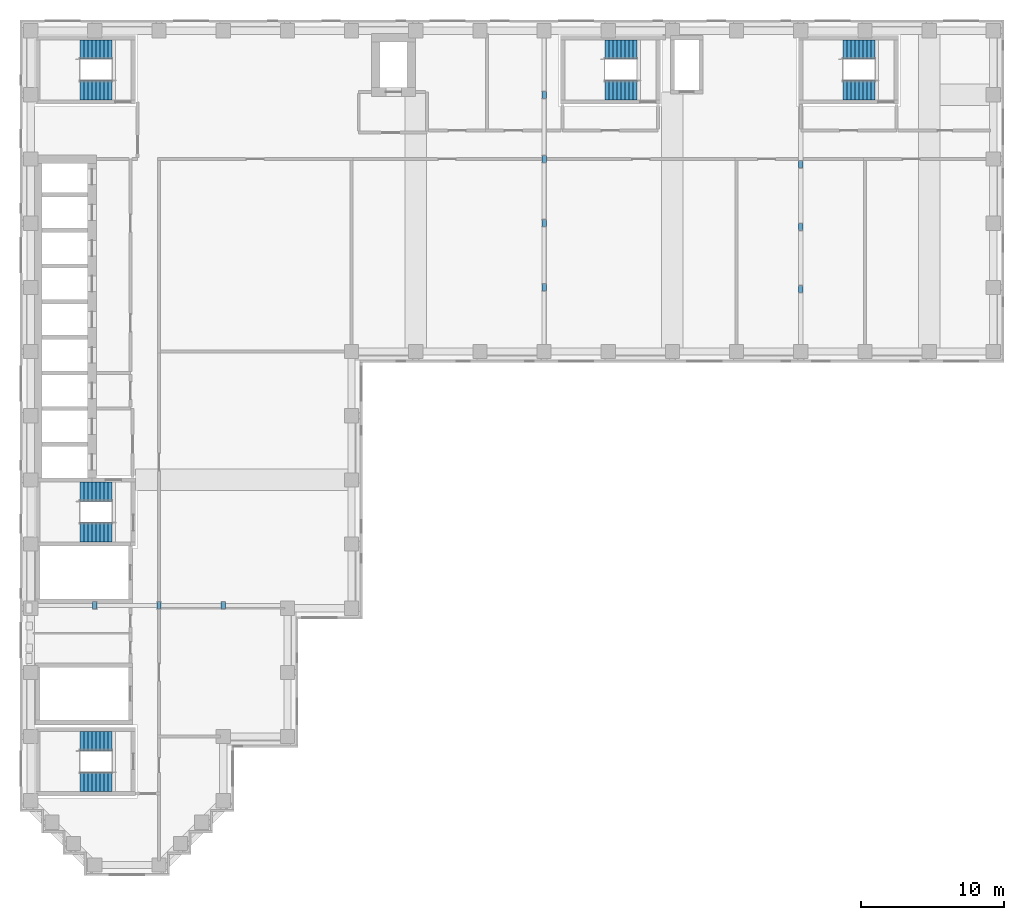
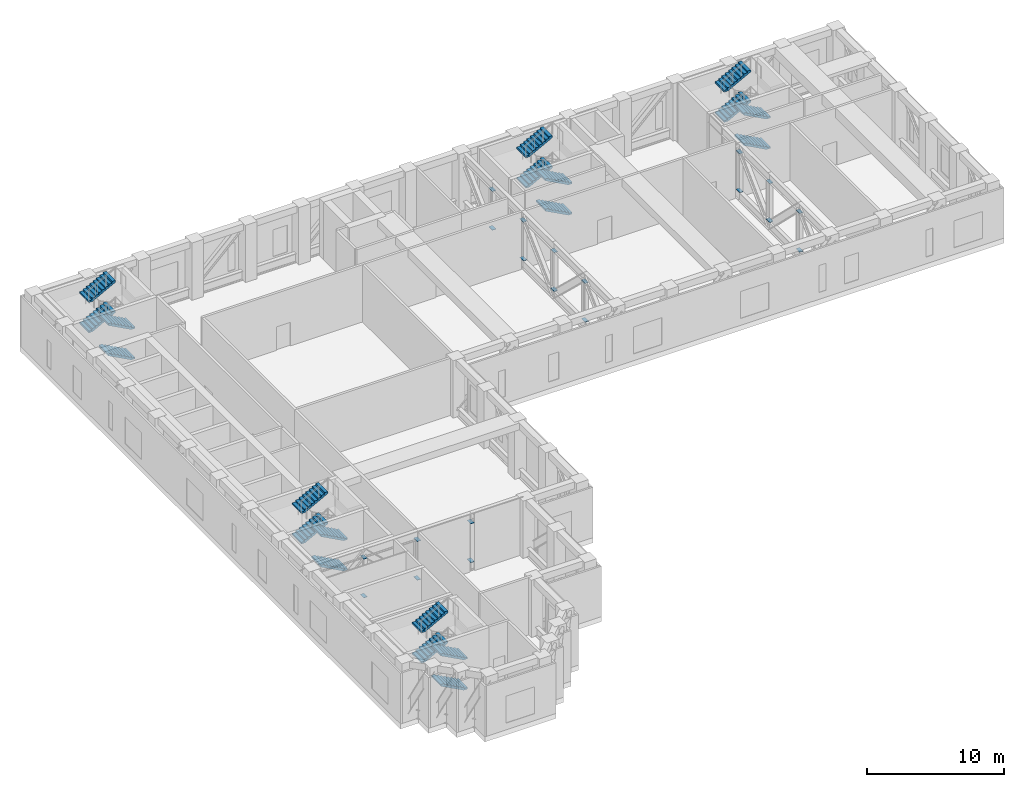
# One storey, part 11 of 14: 20 discrete accessories, 20 stair flights, 5 elements without a shape of their own.
"""IFC4 building model written with IfcOpenShell, lengths in metres."""

import ifcopenshell
import ifcopenshell.guid

model = None  # the IFC model being written
_history = None  # IfcOwnerHistory: only IFC2X3 demands one
_inside = {}  # id of a spatial element -> (the spatial element, [elements in it])
_under = {}  # id of a project, library or spatial element -> (it, [spatial elements below it])
_declared = {}  # id of a project -> (the project, [libraries it declares])
_typed = {}  # id of a type object -> (the type object, [elements of that type])
_made_of = {}  # id of a material, layer set ... -> (it, [elements and type objects made of it])


def new_model(schema):
    """Start an empty IFC model of exactly this schema.

    Asked for "IFC4X3", IfcOpenShell would pick the latest addendum, in which some entities
    have other attributes; the version numbers below select the first issue.
    IFC2X3 requires an IfcOwnerHistory on every rooted entity: one is made here for all.
    """
    global model, _history
    if schema == "IFC4X3":
        model = ifcopenshell.file(schema_version=(4, 3, 0, 0))
    else:
        model = ifcopenshell.file(schema=schema)
    _inside.clear()
    _under.clear()
    _declared.clear()
    _typed.clear()
    _made_of.clear()
    _history = None
    if model.schema == "IFC2X3":
        org = make("IfcOrganization", Name="unknown")
        user = make(
            "IfcPersonAndOrganization",
            ThePerson=make("IfcPerson", FamilyName="unknown"),
            TheOrganization=org,
        )
        app = make(
            "IfcApplication",
            ApplicationDeveloper=org,
            Version="unknown",
            ApplicationFullName="unknown",
            ApplicationIdentifier="unknown",
        )
        _history = make(
            "IfcOwnerHistory",
            OwningUser=user,
            OwningApplication=app,
            ChangeAction="ADDED",
            CreationDate=0,
        )
    return model


def make(cls, **values):
    """One entity of the class cls with the attributes given. An attribute that is None is left unset."""
    return model.create_entity(
        cls, **{name: value for name, value in values.items() if value is not None}
    )


def rooted(cls, **values):
    """An entity with a GlobalId (a new one), such as an element, a storey or a relation."""
    return make(cls, GlobalId=ifcopenshell.guid.new(), OwnerHistory=_history, **values)


def si_unit(unit_type, name, prefix=None):
    """IfcSIUnit, for example si_unit("LENGTHUNIT", "METRE", prefix="MILLI")."""
    return make("IfcSIUnit", UnitType=unit_type, Prefix=prefix, Name=name)


def assignment(units):
    """IfcUnitAssignment: the units of a project."""
    return None if units is None else make("IfcUnitAssignment", Units=units)


def point(xyz):
    """IfcCartesianPoint."""
    return None if xyz is None else make("IfcCartesianPoint", Coordinates=xyz)


def direction(xyz):
    """IfcDirection."""
    return None if xyz is None else make("IfcDirection", DirectionRatios=xyz)


def frame(location, z_axis=None, x_axis=None):
    """IfcAxis2Placement3D, a coordinate frame: its origin and axes. An axis left out is left unset."""
    return make(
        "IfcAxis2Placement3D",
        Location=point(location),
        Axis=direction(z_axis),
        RefDirection=direction(x_axis),
    )


def frame_2d(location, x_axis=None):
    """IfcAxis2Placement2D, a coordinate frame in the plane: its origin and x axis."""
    return make(
        "IfcAxis2Placement2D", Location=point(location), RefDirection=direction(x_axis)
    )


def origin():
    """The frame at (0, 0, 0) with its axes left unset."""
    return frame((0.0, 0.0, 0.0))


def origin_2d():
    """The frame at (0, 0) in the plane with its x axis left unset."""
    return frame_2d((0.0, 0.0))


def place(relative_to, where):
    """IfcLocalPlacement: puts the frame where relative to a parent placement (None: the world)."""
    return make(
        "IfcLocalPlacement", PlacementRelTo=relative_to, RelativePlacement=where
    )


def context(
    kind, dimensions, precision=None, world=None, true_north=None, identifier=None
):
    """IfcGeometricRepresentationContext, for example the 3D "Model" context."""
    return make(
        "IfcGeometricRepresentationContext",
        ContextIdentifier=identifier,
        ContextType=kind,
        CoordinateSpaceDimension=dimensions,
        Precision=precision,
        WorldCoordinateSystem=world,
        TrueNorth=true_north,
    )


def subcontext(parent, identifier, kind, view, scale=None):
    """IfcGeometricRepresentationSubContext, for example "Body" below "Model"."""
    return make(
        "IfcGeometricRepresentationSubContext",
        ContextIdentifier=identifier,
        ContextType=kind,
        ParentContext=parent,
        TargetScale=scale,
        TargetView=view,
    )


def project(units=None, contexts=None):
    """IfcProject with its units and contexts."""
    return rooted(
        "IfcProject",
        Name="project",
        RepresentationContexts=contexts,
        UnitsInContext=assignment(units),
    )


def spatial(cls, under=None, at=None, **own):
    """A site, building, storey or space (cls), placed at a placement, below another one or the project."""
    s = rooted(cls, ObjectPlacement=at, **own)
    if under is not None:
        _under.setdefault(under.id(), (under, []))[1].append(s)
    return s


def polyline(points):
    """IfcPolyline through the points."""
    return make("IfcPolyline", Points=[point(p) for p in points])


def profile(cls, at=None, kind="AREA", **sizes):
    """A parametric profile (cls). Its sizes go by their IFC names, for example OverallWidth=200.0."""
    return make(cls, ProfileType=kind, Position=at, **sizes)


def rectangle(**sizes):
    """IfcRectangleProfileDef."""
    return profile("IfcRectangleProfileDef", **sizes)


def outline(outer, holes=None, kind="AREA"):
    """IfcArbitraryClosedProfileDef: a profile drawn as a closed curve; with holes, ...WithVoids."""
    if holes is None:
        return make("IfcArbitraryClosedProfileDef", ProfileType=kind, OuterCurve=outer)
    return make(
        "IfcArbitraryProfileDefWithVoids",
        ProfileType=kind,
        OuterCurve=outer,
        InnerCurves=holes,
    )


def extrude(swept, where, along, depth):
    """IfcExtrudedAreaSolid: the profile swept, set in the frame where, extruded along a direction by depth."""
    return make(
        "IfcExtrudedAreaSolid",
        SweptArea=swept,
        Position=where,
        ExtrudedDirection=direction(along),
        Depth=depth,
    )


def shape(context_of_items, identifier, shape_type, items):
    """IfcShapeRepresentation: the items that make up one representation, for example the "Body"."""
    return make(
        "IfcShapeRepresentation",
        ContextOfItems=context_of_items,
        RepresentationIdentifier=identifier,
        RepresentationType=shape_type,
        Items=items,
    )


def material(Name=None, Category=None):
    """IfcMaterial."""
    return make("IfcMaterial", Name=Name, Category=Category)


def material_profile(
    of_material, cross_section, Name=None, Category=None, Priority=None
):
    """IfcMaterialProfile: a cross section and its material."""
    return make(
        "IfcMaterialProfile",
        Name=Name,
        Material=of_material,
        Profile=cross_section,
        Priority=Priority,
        Category=Category,
    )


def profile_set(profiles, Name=None, composite=None):
    """IfcMaterialProfileSet."""
    return make(
        "IfcMaterialProfileSet",
        Name=Name,
        MaterialProfiles=profiles,
        CompositeProfile=composite,
    )


def made_of(thing, what):
    """Note that an element or type object is made of a material, layer set ...; save() writes the relation."""
    if what is not None:
        _made_of.setdefault(what.id(), (what, []))[1].append(thing)
    return thing


def type_object(cls, material=None, **own):
    """A type object (cls), such as IfcWallType, which elements share."""
    return made_of(rooted(cls, **own), material)


def element(
    cls,
    number,
    at=None,
    inside=None,
    cuts=None,
    type_object=None,
    material=None,
    context=None,
    identifier="Body",
    shape_type=None,
    held_by="IfcProductDefinitionShape",
    body=None,
    shapes=None,
    **own,
):
    """One element of the class cls, such as IfcWall. Its Tag is "e" and its number.

    at: its placement. inside: the storey or other place that contains it. cuts: it is an
    opening in that element (IfcRelVoidsElement). A single representation is given by context,
    identifier, shape_type and body (its items); several are given by shapes. held_by: the class
    of the entity that holds the representations. save() writes the other relations.
    """
    e = rooted(cls, Tag="e%d" % number, ObjectPlacement=at, **own)
    if body is not None:
        shapes = [shape(context, identifier, shape_type, body)]
    if shapes is not None:
        e.Representation = make(held_by, Representations=shapes)
    if inside is not None:
        _inside.setdefault(inside.id(), (inside, []))[1].append(e)
    if cuts is not None:
        rooted(
            "IfcRelVoidsElement", RelatingBuildingElement=cuts, RelatedOpeningElement=e
        )
    if type_object is not None:
        _typed.setdefault(type_object.id(), (type_object, []))[1].append(e)
    return made_of(e, material)


def aggregate(whole, parts):
    """IfcRelAggregates: a whole, such as a stair, and the parts it consists of."""
    return rooted("IfcRelAggregates", RelatingObject=whole, RelatedObjects=parts)


def save(model, path):
    """Write the relations noted so far, then the file.

    IfcRelAggregates (storeys below a building ...), IfcRelContainedInSpatialStructure (elements
    in a storey), IfcRelDefinesByType, IfcRelAssociatesMaterial and IfcRelDeclares: one each for
    every whole, place, type object, material and project.
    """
    for whole, parts in _under.values():
        aggregate(whole, parts)
    for where, things in _inside.values():
        rooted(
            "IfcRelContainedInSpatialStructure",
            RelatedElements=things,
            RelatingStructure=where,
        )
    for kind, things in _typed.values():
        rooted("IfcRelDefinesByType", RelatedObjects=things, RelatingType=kind)
    for what, things in _made_of.values():
        rooted("IfcRelAssociatesMaterial", RelatedObjects=things, RelatingMaterial=what)
    for by, libraries in _declared.values():
        rooted("IfcRelDeclares", RelatingContext=by, RelatedDefinitions=libraries)
    model.write(path)


model = new_model("IFC4")

# Units and contexts
model_context = context("Model", 3, precision=1e-05, world=origin(), true_north=direction((0.0, 1.0)))
body_context = subcontext(model_context, "Body", "Model", "MODEL_VIEW")
ifc_project = project(units=[si_unit("LENGTHUNIT", "METRE"), si_unit("AREAUNIT", "SQUARE_METRE"), si_unit("VOLUMEUNIT", "CUBIC_METRE"), si_unit("PLANEANGLEUNIT", "RADIAN"), si_unit("MASSUNIT", "GRAM", prefix="KILO")], contexts=[model_context])

# Site, building, storey
site_placement = place(None, origin())
site = spatial("IfcSite", under=ifc_project, at=site_placement, CompositionType="ELEMENT")
building_placement = place(site_placement, origin())
building = spatial("IfcBuilding", under=site, at=building_placement, Name="Firuza Court", CompositionType="ELEMENT")
storey_placement = place(building_placement, frame((0.0, 0.0, 173.60009765625)))
storey = spatial("IfcBuildingStorey", under=building, at=storey_placement, Name="L44", CompositionType="ELEMENT", Elevation=173.60009765625)

# Stair, stair flights
ifc_material_1 = material(Name="Concrete C40/50 precast", Category="concrete")
stair_type = type_object("IfcStairType", Name="Stair 1350 x 5400 4 flights", PredefinedType="QUARTER_TURN_STAIR", material=ifc_material_1)
stair_1_placement = place(storey_placement, origin())
stair_1 = element("IfcStair", 1, at=stair_1_placement, inside=storey, type_object=stair_type, Name="Stair 1 L44", PredefinedType="QUARTER_TURN_STAIR")
ifc_material_2 = material(Name="Concrete C40/50 precast", Category="concrete")
stair_flight_type = type_object("IfcStairFlightType", Name="Flight 1350 riser 150.0", PredefinedType="STRAIGHT", material=ifc_material_2)
stair_flight_1_placement = place(storey_placement, frame((42.5, 54.324951171875, 0.0), z_axis=(0.0, 0.0, 1.0), x_axis=(-1.0, 0.0, 0.0)))
stair_flight_1 = element("IfcStairFlight", 2, at=stair_flight_1_placement, type_object=stair_flight_type, Name="S1 flight 1", NumberOfRisers=9, NumberOfTreads=8, PredefinedType="STRAIGHT", RiserHeight=0.15, TreadLength=0.28, context=body_context, shape_type="SweptSolid", body=[
    extrude(outline(polyline([(0.0, 0.0), (0.0, 0.14990234375), (0.280029296875, 0.14990234375), (0.280029296875, 0.300048828125), (0.56005859375, 0.300048828125), (0.56005859375, 0.449951171875), (0.840087890625, 0.449951171875), (0.840087890625, 0.60009765625), (1.1201171875, 0.60009765625), (1.1201171875, 0.75), (1.39990234375, 0.75), (1.39990234375, 0.89990234375), (1.679931640625, 0.89990234375), (1.679931640625, 1.050048828125), (1.9599609375, 1.050048828125), (1.9599609375, 1.199951171875), (2.239990234375, 1.199951171875), (2.239990234375, 1.35009765625), (2.239990234375, 1.030029296875), (0.3173828125, 0.0), (0.0, 0.0)])), frame((0.0, 0.675048828125, 0.0), z_axis=(0.0, -1.0, 0.0), x_axis=(1.0, 0.0, 0.0)), (0.0, 0.0, 1.0), 1.35009765625),
])
stair_flight_2_placement = place(storey_placement, frame((40.260009765625, 57.175048828125, 1.349853515625), z_axis=(0.0, 0.0, 1.0), x_axis=(1.0, 0.0, 0.0)))
stair_flight_2 = element("IfcStairFlight", 3, at=stair_flight_2_placement, type_object=stair_flight_type, Name="S1 flight 2", NumberOfRisers=9, NumberOfTreads=8, PredefinedType="STRAIGHT", RiserHeight=0.15, TreadLength=0.28, context=body_context, shape_type="SweptSolid", body=[
    extrude(outline(polyline([(0.0, 0.0), (0.0, 0.14990234375), (0.280029296875, 0.14990234375), (0.280029296875, 0.300048828125), (0.56005859375, 0.300048828125), (0.56005859375, 0.449951171875), (0.840087890625, 0.449951171875), (0.840087890625, 0.60009765625), (1.1201171875, 0.60009765625), (1.1201171875, 0.75), (1.39990234375, 0.75), (1.39990234375, 0.89990234375), (1.679931640625, 0.89990234375), (1.679931640625, 1.050048828125), (1.9599609375, 1.050048828125), (1.9599609375, 1.199951171875), (2.239990234375, 1.199951171875), (2.239990234375, 1.35009765625), (2.239990234375, 1.030029296875), (0.3173828125, 0.0), (0.0, 0.0)])), frame((0.0, 0.675048828125, 0.0), z_axis=(0.0, -1.0, 0.0), x_axis=(1.0, 0.0, 0.0)), (0.0, 0.0, 1.0), 1.35009765625),
])
stair_flight_3_placement = place(storey_placement, frame((42.5, 54.324951171875, 2.699951171875), z_axis=(0.0, 0.0, 1.0), x_axis=(-1.0, 0.0, 0.0)))
stair_flight_3 = element("IfcStairFlight", 4, at=stair_flight_3_placement, type_object=stair_flight_type, Name="S1 flight 3", NumberOfRisers=9, NumberOfTreads=8, PredefinedType="STRAIGHT", RiserHeight=0.15, TreadLength=0.28, context=body_context, shape_type="SweptSolid", body=[
    extrude(outline(polyline([(0.0, 0.0), (0.0, 0.14990234375), (0.280029296875, 0.14990234375), (0.280029296875, 0.300048828125), (0.56005859375, 0.300048828125), (0.56005859375, 0.449951171875), (0.840087890625, 0.449951171875), (0.840087890625, 0.60009765625), (1.1201171875, 0.60009765625), (1.1201171875, 0.75), (1.39990234375, 0.75), (1.39990234375, 0.89990234375), (1.679931640625, 0.89990234375), (1.679931640625, 1.050048828125), (1.9599609375, 1.050048828125), (1.9599609375, 1.199951171875), (2.239990234375, 1.199951171875), (2.239990234375, 1.35009765625), (2.239990234375, 1.030029296875), (0.3173828125, 0.0), (0.0, 0.0)])), frame((0.0, 0.675048828125, 0.0), z_axis=(0.0, -1.0, 0.0), x_axis=(1.0, 0.0, 0.0)), (0.0, 0.0, 1.0), 1.35009765625),
])
stair_flight_4_placement = place(storey_placement, frame((40.260009765625, 57.175048828125, 4.0498046875), z_axis=(0.0, 0.0, 1.0), x_axis=(1.0, 0.0, 0.0)))
stair_flight_4 = element("IfcStairFlight", 5, at=stair_flight_4_placement, type_object=stair_flight_type, Name="S1 flight 4", NumberOfRisers=9, NumberOfTreads=8, PredefinedType="STRAIGHT", RiserHeight=0.15, TreadLength=0.28, context=body_context, shape_type="SweptSolid", body=[
    extrude(outline(polyline([(0.0, 0.0), (0.0, 0.14990234375), (0.280029296875, 0.14990234375), (0.280029296875, 0.300048828125), (0.56005859375, 0.300048828125), (0.56005859375, 0.449951171875), (0.840087890625, 0.449951171875), (0.840087890625, 0.60009765625), (1.1201171875, 0.60009765625), (1.1201171875, 0.75), (1.39990234375, 0.75), (1.39990234375, 0.89990234375), (1.679931640625, 0.89990234375), (1.679931640625, 1.050048828125), (1.9599609375, 1.050048828125), (1.9599609375, 1.199951171875), (2.239990234375, 1.199951171875), (2.239990234375, 1.35009765625), (2.239990234375, 1.030029296875), (0.3173828125, 0.0), (0.0, 0.0)])), frame((0.0, 0.675048828125, 0.0), z_axis=(0.0, -1.0, 0.0), x_axis=(1.0, 0.0, 0.0)), (0.0, 0.0, 1.0), 1.35009765625),
])
aggregate(stair_1, [stair_flight_1, stair_flight_2, stair_flight_3, stair_flight_4])

stair_2_placement = place(storey_placement, origin())
stair_2 = element("IfcStair", 6, at=stair_2_placement, inside=storey, type_object=stair_type, Name="Stair 2 L44", PredefinedType="QUARTER_TURN_STAIR")
stair_flight_5_placement = place(storey_placement, frame((5.699951171875, 23.324951171875, 0.0), z_axis=(0.0, 0.0, 1.0), x_axis=(-1.0, 0.0, 0.0)))
stair_flight_5 = element("IfcStairFlight", 7, at=stair_flight_5_placement, type_object=stair_flight_type, Name="S2 flight 1", NumberOfRisers=9, NumberOfTreads=8, PredefinedType="STRAIGHT", RiserHeight=0.15, TreadLength=0.28, context=body_context, shape_type="SweptSolid", body=[
    extrude(outline(polyline([(0.0, 0.0), (0.0, 0.14990234375), (0.280029296875, 0.14990234375), (0.280029296875, 0.300048828125), (0.56005859375, 0.300048828125), (0.56005859375, 0.449951171875), (0.840087890625, 0.449951171875), (0.840087890625, 0.60009765625), (1.1201171875, 0.60009765625), (1.1201171875, 0.75), (1.39990234375, 0.75), (1.39990234375, 0.89990234375), (1.679931640625, 0.89990234375), (1.679931640625, 1.050048828125), (1.9599609375, 1.050048828125), (1.9599609375, 1.199951171875), (2.239990234375, 1.199951171875), (2.239990234375, 1.35009765625), (2.239990234375, 1.030029296875), (0.3173828125, 0.0), (0.0, 0.0)])), frame((0.0, 0.675048828125, 0.0), z_axis=(0.0, -1.0, 0.0), x_axis=(1.0, 0.0, 0.0)), (0.0, 0.0, 1.0), 1.35009765625),
])
stair_flight_6_placement = place(storey_placement, frame((3.4599609375, 26.175048828125, 1.349853515625), z_axis=(0.0, 0.0, 1.0), x_axis=(1.0, 0.0, 0.0)))
stair_flight_6 = element("IfcStairFlight", 8, at=stair_flight_6_placement, type_object=stair_flight_type, Name="S2 flight 2", NumberOfRisers=9, NumberOfTreads=8, PredefinedType="STRAIGHT", RiserHeight=0.15, TreadLength=0.28, context=body_context, shape_type="SweptSolid", body=[
    extrude(outline(polyline([(0.0, 0.0), (0.0, 0.14990234375), (0.280029296875, 0.14990234375), (0.280029296875, 0.300048828125), (0.56005859375, 0.300048828125), (0.56005859375, 0.449951171875), (0.840087890625, 0.449951171875), (0.840087890625, 0.60009765625), (1.1201171875, 0.60009765625), (1.1201171875, 0.75), (1.39990234375, 0.75), (1.39990234375, 0.89990234375), (1.679931640625, 0.89990234375), (1.679931640625, 1.050048828125), (1.9599609375, 1.050048828125), (1.9599609375, 1.199951171875), (2.239990234375, 1.199951171875), (2.239990234375, 1.35009765625), (2.239990234375, 1.030029296875), (0.3173828125, 0.0), (0.0, 0.0)])), frame((0.0, 0.675048828125, 0.0), z_axis=(0.0, -1.0, 0.0), x_axis=(1.0, 0.0, 0.0)), (0.0, 0.0, 1.0), 1.35009765625),
])
stair_flight_7_placement = place(storey_placement, frame((5.699951171875, 23.324951171875, 2.699951171875), z_axis=(0.0, 0.0, 1.0), x_axis=(-1.0, 0.0, 0.0)))
stair_flight_7 = element("IfcStairFlight", 9, at=stair_flight_7_placement, type_object=stair_flight_type, Name="S2 flight 3", NumberOfRisers=9, NumberOfTreads=8, PredefinedType="STRAIGHT", RiserHeight=0.15, TreadLength=0.28, context=body_context, shape_type="SweptSolid", body=[
    extrude(outline(polyline([(0.0, 0.0), (0.0, 0.14990234375), (0.280029296875, 0.14990234375), (0.280029296875, 0.300048828125), (0.56005859375, 0.300048828125), (0.56005859375, 0.449951171875), (0.840087890625, 0.449951171875), (0.840087890625, 0.60009765625), (1.1201171875, 0.60009765625), (1.1201171875, 0.75), (1.39990234375, 0.75), (1.39990234375, 0.89990234375), (1.679931640625, 0.89990234375), (1.679931640625, 1.050048828125), (1.9599609375, 1.050048828125), (1.9599609375, 1.199951171875), (2.239990234375, 1.199951171875), (2.239990234375, 1.35009765625), (2.239990234375, 1.030029296875), (0.3173828125, 0.0), (0.0, 0.0)])), frame((0.0, 0.675048828125, 0.0), z_axis=(0.0, -1.0, 0.0), x_axis=(1.0, 0.0, 0.0)), (0.0, 0.0, 1.0), 1.35009765625),
])
stair_flight_8_placement = place(storey_placement, frame((3.4599609375, 26.175048828125, 4.0498046875), z_axis=(0.0, 0.0, 1.0), x_axis=(1.0, 0.0, 0.0)))
stair_flight_8 = element("IfcStairFlight", 10, at=stair_flight_8_placement, type_object=stair_flight_type, Name="S2 flight 4", NumberOfRisers=9, NumberOfTreads=8, PredefinedType="STRAIGHT", RiserHeight=0.15, TreadLength=0.28, context=body_context, shape_type="SweptSolid", body=[
    extrude(outline(polyline([(0.0, 0.0), (0.0, 0.14990234375), (0.280029296875, 0.14990234375), (0.280029296875, 0.300048828125), (0.56005859375, 0.300048828125), (0.56005859375, 0.449951171875), (0.840087890625, 0.449951171875), (0.840087890625, 0.60009765625), (1.1201171875, 0.60009765625), (1.1201171875, 0.75), (1.39990234375, 0.75), (1.39990234375, 0.89990234375), (1.679931640625, 0.89990234375), (1.679931640625, 1.050048828125), (1.9599609375, 1.050048828125), (1.9599609375, 1.199951171875), (2.239990234375, 1.199951171875), (2.239990234375, 1.35009765625), (2.239990234375, 1.030029296875), (0.3173828125, 0.0), (0.0, 0.0)])), frame((0.0, 0.675048828125, 0.0), z_axis=(0.0, -1.0, 0.0), x_axis=(1.0, 0.0, 0.0)), (0.0, 0.0, 1.0), 1.35009765625),
])
aggregate(stair_2, [stair_flight_5, stair_flight_6, stair_flight_7, stair_flight_8])

stair_3_placement = place(storey_placement, origin())
stair_3 = element("IfcStair", 11, at=stair_3_placement, inside=storey, type_object=stair_type, Name="Stair 3 L44", PredefinedType="QUARTER_TURN_STAIR")
stair_flight_9_placement = place(storey_placement, frame((5.699951171875, 54.324951171875, 0.0), z_axis=(0.0, 0.0, 1.0), x_axis=(-1.0, 0.0, 0.0)))
stair_flight_9 = element("IfcStairFlight", 12, at=stair_flight_9_placement, type_object=stair_flight_type, Name="S3 flight 1", NumberOfRisers=9, NumberOfTreads=8, PredefinedType="STRAIGHT", RiserHeight=0.15, TreadLength=0.28, context=body_context, shape_type="SweptSolid", body=[
    extrude(outline(polyline([(0.0, 0.0), (0.0, 0.14990234375), (0.280029296875, 0.14990234375), (0.280029296875, 0.300048828125), (0.56005859375, 0.300048828125), (0.56005859375, 0.449951171875), (0.840087890625, 0.449951171875), (0.840087890625, 0.60009765625), (1.1201171875, 0.60009765625), (1.1201171875, 0.75), (1.39990234375, 0.75), (1.39990234375, 0.89990234375), (1.679931640625, 0.89990234375), (1.679931640625, 1.050048828125), (1.9599609375, 1.050048828125), (1.9599609375, 1.199951171875), (2.239990234375, 1.199951171875), (2.239990234375, 1.35009765625), (2.239990234375, 1.030029296875), (0.3173828125, 0.0), (0.0, 0.0)])), frame((0.0, 0.675048828125, 0.0), z_axis=(0.0, -1.0, 0.0), x_axis=(1.0, 0.0, 0.0)), (0.0, 0.0, 1.0), 1.35009765625),
])
stair_flight_10_placement = place(storey_placement, frame((3.4599609375, 57.175048828125, 1.349853515625), z_axis=(0.0, 0.0, 1.0), x_axis=(1.0, 0.0, 0.0)))
stair_flight_10 = element("IfcStairFlight", 13, at=stair_flight_10_placement, type_object=stair_flight_type, Name="S3 flight 2", NumberOfRisers=9, NumberOfTreads=8, PredefinedType="STRAIGHT", RiserHeight=0.15, TreadLength=0.28, context=body_context, shape_type="SweptSolid", body=[
    extrude(outline(polyline([(0.0, 0.0), (0.0, 0.14990234375), (0.280029296875, 0.14990234375), (0.280029296875, 0.300048828125), (0.56005859375, 0.300048828125), (0.56005859375, 0.449951171875), (0.840087890625, 0.449951171875), (0.840087890625, 0.60009765625), (1.1201171875, 0.60009765625), (1.1201171875, 0.75), (1.39990234375, 0.75), (1.39990234375, 0.89990234375), (1.679931640625, 0.89990234375), (1.679931640625, 1.050048828125), (1.9599609375, 1.050048828125), (1.9599609375, 1.199951171875), (2.239990234375, 1.199951171875), (2.239990234375, 1.35009765625), (2.239990234375, 1.030029296875), (0.3173828125, 0.0), (0.0, 0.0)])), frame((0.0, 0.675048828125, 0.0), z_axis=(0.0, -1.0, 0.0), x_axis=(1.0, 0.0, 0.0)), (0.0, 0.0, 1.0), 1.35009765625),
])
stair_flight_11_placement = place(storey_placement, frame((5.699951171875, 54.324951171875, 2.699951171875), z_axis=(0.0, 0.0, 1.0), x_axis=(-1.0, 0.0, 0.0)))
stair_flight_11 = element("IfcStairFlight", 14, at=stair_flight_11_placement, type_object=stair_flight_type, Name="S3 flight 3", NumberOfRisers=9, NumberOfTreads=8, PredefinedType="STRAIGHT", RiserHeight=0.15, TreadLength=0.28, context=body_context, shape_type="SweptSolid", body=[
    extrude(outline(polyline([(0.0, 0.0), (0.0, 0.14990234375), (0.280029296875, 0.14990234375), (0.280029296875, 0.300048828125), (0.56005859375, 0.300048828125), (0.56005859375, 0.449951171875), (0.840087890625, 0.449951171875), (0.840087890625, 0.60009765625), (1.1201171875, 0.60009765625), (1.1201171875, 0.75), (1.39990234375, 0.75), (1.39990234375, 0.89990234375), (1.679931640625, 0.89990234375), (1.679931640625, 1.050048828125), (1.9599609375, 1.050048828125), (1.9599609375, 1.199951171875), (2.239990234375, 1.199951171875), (2.239990234375, 1.35009765625), (2.239990234375, 1.030029296875), (0.3173828125, 0.0), (0.0, 0.0)])), frame((0.0, 0.675048828125, 0.0), z_axis=(0.0, -1.0, 0.0), x_axis=(1.0, 0.0, 0.0)), (0.0, 0.0, 1.0), 1.35009765625),
])
stair_flight_12_placement = place(storey_placement, frame((3.4599609375, 57.175048828125, 4.0498046875), z_axis=(0.0, 0.0, 1.0), x_axis=(1.0, 0.0, 0.0)))
stair_flight_12 = element("IfcStairFlight", 15, at=stair_flight_12_placement, type_object=stair_flight_type, Name="S3 flight 4", NumberOfRisers=9, NumberOfTreads=8, PredefinedType="STRAIGHT", RiserHeight=0.15, TreadLength=0.28, context=body_context, shape_type="SweptSolid", body=[
    extrude(outline(polyline([(0.0, 0.0), (0.0, 0.14990234375), (0.280029296875, 0.14990234375), (0.280029296875, 0.300048828125), (0.56005859375, 0.300048828125), (0.56005859375, 0.449951171875), (0.840087890625, 0.449951171875), (0.840087890625, 0.60009765625), (1.1201171875, 0.60009765625), (1.1201171875, 0.75), (1.39990234375, 0.75), (1.39990234375, 0.89990234375), (1.679931640625, 0.89990234375), (1.679931640625, 1.050048828125), (1.9599609375, 1.050048828125), (1.9599609375, 1.199951171875), (2.239990234375, 1.199951171875), (2.239990234375, 1.35009765625), (2.239990234375, 1.030029296875), (0.3173828125, 0.0), (0.0, 0.0)])), frame((0.0, 0.675048828125, 0.0), z_axis=(0.0, -1.0, 0.0), x_axis=(1.0, 0.0, 0.0)), (0.0, 0.0, 1.0), 1.35009765625),
])
aggregate(stair_3, [stair_flight_9, stair_flight_10, stair_flight_11, stair_flight_12])

stair_4_placement = place(storey_placement, origin())
stair_4 = element("IfcStair", 16, at=stair_4_placement, inside=storey, type_object=stair_type, Name="Stair 4 L44", PredefinedType="QUARTER_TURN_STAIR")
stair_flight_13_placement = place(storey_placement, frame((59.199951171875, 54.324951171875, 0.0), z_axis=(0.0, 0.0, 1.0), x_axis=(-1.0, 0.0, 0.0)))
stair_flight_13 = element("IfcStairFlight", 17, at=stair_flight_13_placement, type_object=stair_flight_type, Name="S4 flight 1", NumberOfRisers=9, NumberOfTreads=8, PredefinedType="STRAIGHT", RiserHeight=0.15, TreadLength=0.28, context=body_context, shape_type="SweptSolid", body=[
    extrude(outline(polyline([(0.0, 0.0), (0.0, 0.14990234375), (0.280029296875, 0.14990234375), (0.280029296875, 0.300048828125), (0.56005859375, 0.300048828125), (0.56005859375, 0.449951171875), (0.840087890625, 0.449951171875), (0.840087890625, 0.60009765625), (1.1201171875, 0.60009765625), (1.1201171875, 0.75), (1.39990234375, 0.75), (1.39990234375, 0.89990234375), (1.679931640625, 0.89990234375), (1.679931640625, 1.050048828125), (1.9599609375, 1.050048828125), (1.9599609375, 1.199951171875), (2.239990234375, 1.199951171875), (2.239990234375, 1.35009765625), (2.239990234375, 1.030029296875), (0.3173828125, 0.0), (0.0, 0.0)])), frame((0.0, 0.675048828125, 0.0), z_axis=(0.0, -1.0, 0.0), x_axis=(1.0, 0.0, 0.0)), (0.0, 0.0, 1.0), 1.35009765625),
])
stair_flight_14_placement = place(storey_placement, frame((56.9599609375, 57.175048828125, 1.349853515625), z_axis=(0.0, 0.0, 1.0), x_axis=(1.0, 0.0, 0.0)))
stair_flight_14 = element("IfcStairFlight", 18, at=stair_flight_14_placement, type_object=stair_flight_type, Name="S4 flight 2", NumberOfRisers=9, NumberOfTreads=8, PredefinedType="STRAIGHT", RiserHeight=0.15, TreadLength=0.28, context=body_context, shape_type="SweptSolid", body=[
    extrude(outline(polyline([(0.0, 0.0), (0.0, 0.14990234375), (0.280029296875, 0.14990234375), (0.280029296875, 0.300048828125), (0.56005859375, 0.300048828125), (0.56005859375, 0.449951171875), (0.840087890625, 0.449951171875), (0.840087890625, 0.60009765625), (1.1201171875, 0.60009765625), (1.1201171875, 0.75), (1.39990234375, 0.75), (1.39990234375, 0.89990234375), (1.679931640625, 0.89990234375), (1.679931640625, 1.050048828125), (1.9599609375, 1.050048828125), (1.9599609375, 1.199951171875), (2.239990234375, 1.199951171875), (2.239990234375, 1.35009765625), (2.239990234375, 1.030029296875), (0.3173828125, 0.0), (0.0, 0.0)])), frame((0.0, 0.675048828125, 0.0), z_axis=(0.0, -1.0, 0.0), x_axis=(1.0, 0.0, 0.0)), (0.0, 0.0, 1.0), 1.35009765625),
])
stair_flight_15_placement = place(storey_placement, frame((59.199951171875, 54.324951171875, 2.699951171875), z_axis=(0.0, 0.0, 1.0), x_axis=(-1.0, 0.0, 0.0)))
stair_flight_15 = element("IfcStairFlight", 19, at=stair_flight_15_placement, type_object=stair_flight_type, Name="S4 flight 3", NumberOfRisers=9, NumberOfTreads=8, PredefinedType="STRAIGHT", RiserHeight=0.15, TreadLength=0.28, context=body_context, shape_type="SweptSolid", body=[
    extrude(outline(polyline([(0.0, 0.0), (0.0, 0.14990234375), (0.280029296875, 0.14990234375), (0.280029296875, 0.300048828125), (0.56005859375, 0.300048828125), (0.56005859375, 0.449951171875), (0.840087890625, 0.449951171875), (0.840087890625, 0.60009765625), (1.1201171875, 0.60009765625), (1.1201171875, 0.75), (1.39990234375, 0.75), (1.39990234375, 0.89990234375), (1.679931640625, 0.89990234375), (1.679931640625, 1.050048828125), (1.9599609375, 1.050048828125), (1.9599609375, 1.199951171875), (2.239990234375, 1.199951171875), (2.239990234375, 1.35009765625), (2.239990234375, 1.030029296875), (0.3173828125, 0.0), (0.0, 0.0)])), frame((0.0, 0.675048828125, 0.0), z_axis=(0.0, -1.0, 0.0), x_axis=(1.0, 0.0, 0.0)), (0.0, 0.0, 1.0), 1.35009765625),
])
stair_flight_16_placement = place(storey_placement, frame((56.9599609375, 57.175048828125, 4.0498046875), z_axis=(0.0, 0.0, 1.0), x_axis=(1.0, 0.0, 0.0)))
stair_flight_16 = element("IfcStairFlight", 20, at=stair_flight_16_placement, type_object=stair_flight_type, Name="S4 flight 4", NumberOfRisers=9, NumberOfTreads=8, PredefinedType="STRAIGHT", RiserHeight=0.15, TreadLength=0.28, context=body_context, shape_type="SweptSolid", body=[
    extrude(outline(polyline([(0.0, 0.0), (0.0, 0.14990234375), (0.280029296875, 0.14990234375), (0.280029296875, 0.300048828125), (0.56005859375, 0.300048828125), (0.56005859375, 0.449951171875), (0.840087890625, 0.449951171875), (0.840087890625, 0.60009765625), (1.1201171875, 0.60009765625), (1.1201171875, 0.75), (1.39990234375, 0.75), (1.39990234375, 0.89990234375), (1.679931640625, 0.89990234375), (1.679931640625, 1.050048828125), (1.9599609375, 1.050048828125), (1.9599609375, 1.199951171875), (2.239990234375, 1.199951171875), (2.239990234375, 1.35009765625), (2.239990234375, 1.030029296875), (0.3173828125, 0.0), (0.0, 0.0)])), frame((0.0, 0.675048828125, 0.0), z_axis=(0.0, -1.0, 0.0), x_axis=(1.0, 0.0, 0.0)), (0.0, 0.0, 1.0), 1.35009765625),
])
aggregate(stair_4, [stair_flight_13, stair_flight_14, stair_flight_15, stair_flight_16])

stair_5_placement = place(storey_placement, origin())
stair_5 = element("IfcStair", 21, at=stair_5_placement, inside=storey, type_object=stair_type, Name="Stair 5 L44", PredefinedType="QUARTER_TURN_STAIR")
stair_flight_17_placement = place(storey_placement, frame((5.699951171875, 5.824951171875, 0.0), z_axis=(0.0, 0.0, 1.0), x_axis=(-1.0, 0.0, 0.0)))
stair_flight_17 = element("IfcStairFlight", 22, at=stair_flight_17_placement, type_object=stair_flight_type, Name="S5 flight 1", NumberOfRisers=9, NumberOfTreads=8, PredefinedType="STRAIGHT", RiserHeight=0.15, TreadLength=0.28, context=body_context, shape_type="SweptSolid", body=[
    extrude(outline(polyline([(0.0, 0.0), (0.0, 0.14990234375), (0.280029296875, 0.14990234375), (0.280029296875, 0.300048828125), (0.56005859375, 0.300048828125), (0.56005859375, 0.449951171875), (0.840087890625, 0.449951171875), (0.840087890625, 0.60009765625), (1.1201171875, 0.60009765625), (1.1201171875, 0.75), (1.39990234375, 0.75), (1.39990234375, 0.89990234375), (1.679931640625, 0.89990234375), (1.679931640625, 1.050048828125), (1.9599609375, 1.050048828125), (1.9599609375, 1.199951171875), (2.239990234375, 1.199951171875), (2.239990234375, 1.35009765625), (2.239990234375, 1.030029296875), (0.3173828125, 0.0), (0.0, 0.0)])), frame((0.0, 0.675048828125, 0.0), z_axis=(0.0, -1.0, 0.0), x_axis=(1.0, 0.0, 0.0)), (0.0, 0.0, 1.0), 1.35009765625),
])
stair_flight_18_placement = place(storey_placement, frame((3.4599609375, 8.675048828125, 1.349853515625), z_axis=(0.0, 0.0, 1.0), x_axis=(1.0, 0.0, 0.0)))
stair_flight_18 = element("IfcStairFlight", 23, at=stair_flight_18_placement, type_object=stair_flight_type, Name="S5 flight 2", NumberOfRisers=9, NumberOfTreads=8, PredefinedType="STRAIGHT", RiserHeight=0.15, TreadLength=0.28, context=body_context, shape_type="SweptSolid", body=[
    extrude(outline(polyline([(0.0, 0.0), (0.0, 0.14990234375), (0.280029296875, 0.14990234375), (0.280029296875, 0.300048828125), (0.56005859375, 0.300048828125), (0.56005859375, 0.449951171875), (0.840087890625, 0.449951171875), (0.840087890625, 0.60009765625), (1.1201171875, 0.60009765625), (1.1201171875, 0.75), (1.39990234375, 0.75), (1.39990234375, 0.89990234375), (1.679931640625, 0.89990234375), (1.679931640625, 1.050048828125), (1.9599609375, 1.050048828125), (1.9599609375, 1.199951171875), (2.239990234375, 1.199951171875), (2.239990234375, 1.35009765625), (2.239990234375, 1.030029296875), (0.3173828125, 0.0), (0.0, 0.0)])), frame((0.0, 0.675048828125, 0.0), z_axis=(0.0, -1.0, 0.0), x_axis=(1.0, 0.0, 0.0)), (0.0, 0.0, 1.0), 1.35009765625),
])
stair_flight_19_placement = place(storey_placement, frame((5.699951171875, 5.824951171875, 2.699951171875), z_axis=(0.0, 0.0, 1.0), x_axis=(-1.0, 0.0, 0.0)))
stair_flight_19 = element("IfcStairFlight", 24, at=stair_flight_19_placement, type_object=stair_flight_type, Name="S5 flight 3", NumberOfRisers=9, NumberOfTreads=8, PredefinedType="STRAIGHT", RiserHeight=0.15, TreadLength=0.28, context=body_context, shape_type="SweptSolid", body=[
    extrude(outline(polyline([(0.0, 0.0), (0.0, 0.14990234375), (0.280029296875, 0.14990234375), (0.280029296875, 0.300048828125), (0.56005859375, 0.300048828125), (0.56005859375, 0.449951171875), (0.840087890625, 0.449951171875), (0.840087890625, 0.60009765625), (1.1201171875, 0.60009765625), (1.1201171875, 0.75), (1.39990234375, 0.75), (1.39990234375, 0.89990234375), (1.679931640625, 0.89990234375), (1.679931640625, 1.050048828125), (1.9599609375, 1.050048828125), (1.9599609375, 1.199951171875), (2.239990234375, 1.199951171875), (2.239990234375, 1.35009765625), (2.239990234375, 1.030029296875), (0.3173828125, 0.0), (0.0, 0.0)])), frame((0.0, 0.675048828125, 0.0), z_axis=(0.0, -1.0, 0.0), x_axis=(1.0, 0.0, 0.0)), (0.0, 0.0, 1.0), 1.35009765625),
])
stair_flight_20_placement = place(storey_placement, frame((3.4599609375, 8.675048828125, 4.0498046875), z_axis=(0.0, 0.0, 1.0), x_axis=(1.0, 0.0, 0.0)))
stair_flight_20 = element("IfcStairFlight", 25, at=stair_flight_20_placement, type_object=stair_flight_type, Name="S5 flight 4", NumberOfRisers=9, NumberOfTreads=8, PredefinedType="STRAIGHT", RiserHeight=0.15, TreadLength=0.28, context=body_context, shape_type="SweptSolid", body=[
    extrude(outline(polyline([(0.0, 0.0), (0.0, 0.14990234375), (0.280029296875, 0.14990234375), (0.280029296875, 0.300048828125), (0.56005859375, 0.300048828125), (0.56005859375, 0.449951171875), (0.840087890625, 0.449951171875), (0.840087890625, 0.60009765625), (1.1201171875, 0.60009765625), (1.1201171875, 0.75), (1.39990234375, 0.75), (1.39990234375, 0.89990234375), (1.679931640625, 0.89990234375), (1.679931640625, 1.050048828125), (1.9599609375, 1.050048828125), (1.9599609375, 1.199951171875), (2.239990234375, 1.199951171875), (2.239990234375, 1.35009765625), (2.239990234375, 1.030029296875), (0.3173828125, 0.0), (0.0, 0.0)])), frame((0.0, 0.675048828125, 0.0), z_axis=(0.0, -1.0, 0.0), x_axis=(1.0, 0.0, 0.0)), (0.0, 0.0, 1.0), 1.35009765625),
])
aggregate(stair_5, [stair_flight_17, stair_flight_18, stair_flight_19, stair_flight_20])

# Discrete accessories
ifc_material_3 = material(Name="Steel S355", Category="steel")
ifc_material_profile = material_profile(ifc_material_3, rectangle(XDim=0.305908203125, YDim=0.52392578125, at=origin_2d()), Name="PL 306X524")
ifc_profile_set = profile_set([ifc_material_profile], Name="Steel S355")
discrete_accessory_type = type_object("IfcDiscreteAccessoryType", Name="BELT POST END PLATE", PredefinedType="NOTDEFINED", material=ifc_profile_set)
for number, where, z_axis, x_axis, name in (
    (26, (4.5, 18.198486328125, 0.81396484375), (0.0, 0.0, 1.0), (1.0, 0.0, 0.0), "Belt truss post end plate L44"),
    (27, (4.5, 18.198486328125, 4.255859375), (0.0, 0.0, 1.0), (1.0, 0.0, 0.0), "Belt truss post end plate L44"),
    (28, (9.0, 18.198486328125, 0.81396484375), (0.0, 0.0, 1.0), (1.0, 0.0, 0.0), "Belt truss post end plate L44"),
    (29, (9.0, 18.198486328125, 4.255859375), (0.0, 0.0, 1.0), (1.0, 0.0, 0.0), "Belt truss post end plate L44"),
    (30, (13.5, 18.198486328125, 0.81396484375), (0.0, 0.0, 1.0), (1.0, 0.0, 0.0), "Belt truss post end plate L44"),
    (31, (13.5, 18.198486328125, 4.255859375), (0.0, 0.0, 1.0), (1.0, 0.0, 0.0), "Belt truss post end plate L44"),
    (32, (36.0, 40.5, 0.81396484375), (0.0, 0.0, 1.0), (1.0, 0.0, 0.0), "Belt truss post end plate L44"),
    (33, (36.0, 40.5, 4.255859375), (0.0, 0.0, 1.0), (1.0, 0.0, 0.0), "Belt truss post end plate L44"),
    (34, (36.0, 45.0, 0.81396484375), (0.0, 0.0, 1.0), (1.0, 0.0, 0.0), "Belt truss post end plate L44"),
    (35, (36.0, 45.0, 4.255859375), (0.0, 0.0, 1.0), (1.0, 0.0, 0.0), "Belt truss post end plate L44"),
    (36, (36.0, 49.5, 0.81396484375), (0.0, 0.0, 1.0), (1.0, 0.0, 0.0), "Belt truss post end plate L44"),
    (37, (36.0, 49.5, 4.255859375), (0.0, 0.0, 1.0), (1.0, 0.0, 0.0), "Belt truss post end plate L44"),
    (38, (36.0, 54.0, 0.81396484375), (0.0, 0.0, 1.0), (1.0, 0.0, 0.0), "Belt truss post end plate L44"),
    (39, (36.0, 54.0, 4.255859375), (0.0, 0.0, 1.0), (1.0, 0.0, 0.0), "Belt truss post end plate L44"),
    (40, (54.0, 40.375, 0.81396484375), (0.0, 0.0, 1.0), (1.0, 0.0, 0.0), "Belt truss post end plate L44"),
    (41, (54.0, 40.375, 4.255859375), (0.0, 0.0, 1.0), (1.0, 0.0, 0.0), "Belt truss post end plate L44"),
    (42, (54.0, 44.75, 0.81396484375), (0.0, 0.0, 1.0), (1.0, 0.0, 0.0), "Belt truss post end plate L44"),
    (43, (54.0, 44.75, 4.255859375), (0.0, 0.0, 1.0), (1.0, 0.0, 0.0), "Belt truss post end plate L44"),
    (44, (54.0, 49.125, 0.81396484375), (0.0, 0.0, 1.0), (1.0, 0.0, 0.0), "Belt truss post end plate L44"),
    (45, (54.0, 49.125, 4.255859375), (0.0, 0.0, 1.0), (1.0, 0.0, 0.0), "Belt truss post end plate L44"),
):
    element("IfcDiscreteAccessory", number, at=place(storey_placement, frame(where, z_axis=z_axis, x_axis=x_axis)), inside=storey, type_object=discrete_accessory_type, Name=name, PredefinedType="NOTDEFINED", context=body_context, shape_type="SweptSolid", body=[
        extrude(rectangle(XDim=0.305908203125, YDim=0.52392578125, at=origin_2d()), origin(), (0.0, 0.0, 1.0), 0.030029296875),
    ])

save(model, "model.ifc")
